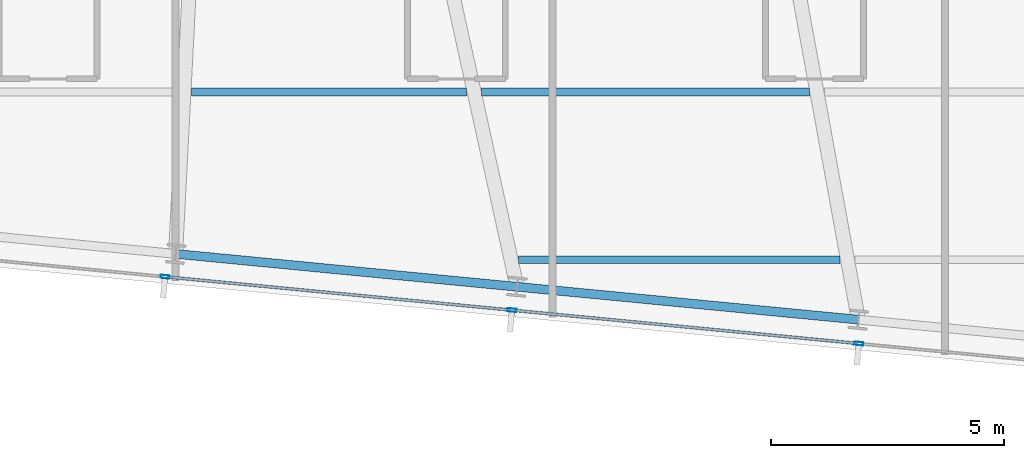
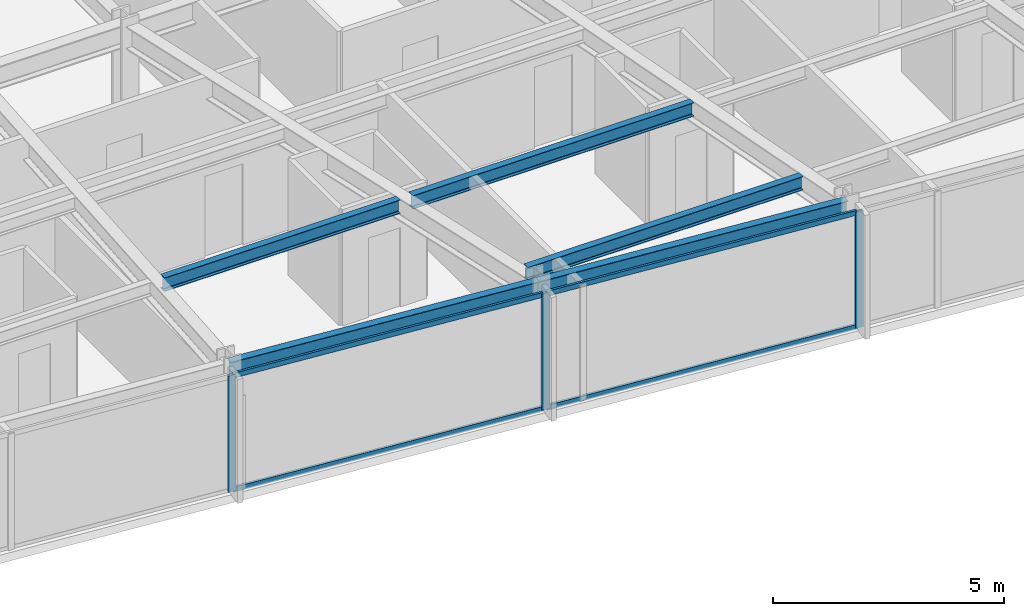
# One storey, part 6 of 38: 7 members, 5 beams, 1 element without a shape of its own.
"""IFC4 building model written with IfcOpenShell, lengths in metres."""

from ifc_helpers import new_model, si_unit, direction, frame, origin, origin_2d, place, context, subcontext, project, spatial, hollow_rectangle, i_section, extrude, material, material_profile, profile_set, type_object, element, aggregate, save


model = new_model("IFC4")

# Units and contexts
model_context = context("Model", 3, precision=1e-05, world=origin(), true_north=direction((0.0, 1.0)))
body_context = subcontext(model_context, "Body", "Model", "MODEL_VIEW")
ifc_project = project(units=[si_unit("LENGTHUNIT", "METRE"), si_unit("AREAUNIT", "SQUARE_METRE"), si_unit("VOLUMEUNIT", "CUBIC_METRE"), si_unit("PLANEANGLEUNIT", "RADIAN"), si_unit("MASSUNIT", "GRAM", prefix="KILO")], contexts=[model_context])

# Site, building, storey
site_placement = place(None, origin())
site = spatial("IfcSite", under=ifc_project, at=site_placement, CompositionType="ELEMENT")
building_placement = place(site_placement, origin())
building = spatial("IfcBuilding", under=site, at=building_placement, Name="Yelkora Congress Tower", CompositionType="ELEMENT")
storey_placement = place(building_placement, frame((0.0, 0.0, 185.300048828125)))
storey = spatial("IfcBuildingStorey", under=building, at=storey_placement, Name="L51", CompositionType="ELEMENT", Elevation=185.300048828125)

# Beams
ifc_material_1 = material(Name="Steel S355J2", Category="steel")
ifc_material_profile_1 = material_profile(ifc_material_1, i_section(OverallWidth=0.169921875, OverallDepth=0.360107421875, WebThickness=0.008056640625, FlangeThickness=0.0126953125, FilletRadius=0.01806640625, at=origin_2d()), Name="IPE 360")
ifc_profile_set_1 = profile_set([ifc_material_profile_1], Name="Steel S355J2")
beam_type_1 = type_object("IfcBeamType", Name="BM-JOIST-IPE360", PredefinedType="JOIST", material=ifc_profile_set_1)
beam_1_placement = place(storey_placement, frame((25.921630859375, 12.8212890625, 2.89990234375), z_axis=(1.0, 0.0, 0.0), x_axis=(0.0, 1.0, 0.0)))
element("IfcBeam", 1, at=beam_1_placement, inside=storey, type_object=beam_type_1, Name="L51 Composite Floor Joist 1", PredefinedType="JOIST", context=body_context, shape_type="SweptSolid", body=[
    extrude(i_section(OverallWidth=0.169921875, OverallDepth=0.360107421875, WebThickness=0.008056640625, FlangeThickness=0.0126953125, FilletRadius=0.01806640625, at=origin_2d()), origin(), (0.0, 0.0, 1.0), 6.896484375),
])
beam_2_placement = place(storey_placement, frame((18.905517578125, 16.421142578125, 2.89990234375), z_axis=(1.0, 0.0, 0.0), x_axis=(0.0, 1.0, 0.0)))
element("IfcBeam", 2, at=beam_2_placement, inside=storey, type_object=beam_type_1, Name="L51 Composite Floor Joist 7", PredefinedType="JOIST", context=body_context, shape_type="SweptSolid", body=[
    extrude(i_section(OverallWidth=0.169921875, OverallDepth=0.360107421875, WebThickness=0.008056640625, FlangeThickness=0.0126953125, FilletRadius=0.01806640625, at=origin_2d()), origin(), (0.0, 0.0, 1.0), 5.904541015625),
])
beam_3_placement = place(storey_placement, frame((25.130126953125, 16.421142578125, 2.89990234375), z_axis=(1.0, 0.0, 0.0), x_axis=(0.0, 1.0, 0.0)))
element("IfcBeam", 3, at=beam_3_placement, inside=storey, type_object=beam_type_1, Name="L51 Composite Floor Joist 8", PredefinedType="JOIST", context=body_context, shape_type="SweptSolid", body=[
    extrude(i_section(OverallWidth=0.169921875, OverallDepth=0.360107421875, WebThickness=0.008056640625, FlangeThickness=0.0126953125, FilletRadius=0.01806640625, at=origin_2d()), origin(), (0.0, 0.0, 1.0), 7.03125),
])
ifc_material_profile_2 = material_profile(ifc_material_1, i_section(OverallWidth=0.18994140625, OverallDepth=0.449951171875, WebThickness=0.009521484375, FlangeThickness=0.0146484375, FilletRadius=0.02099609375, at=origin_2d()), Name="IPE 450")
ifc_profile_set_2 = profile_set([ifc_material_profile_2], Name="Steel S355J2")
beam_type_2 = type_object("IfcBeamType", Name="BM-SPAN-IPE450", PredefinedType="SPANDREL", material=ifc_profile_set_2)
beam_4_placement = place(storey_placement, frame((18.56591796875, 12.947021484375, 2.85498046875), z_axis=(0.99539363353, -0.09587238564, 0.0), x_axis=(0.09587238564, 0.99539363353, 0.0)))
element("IfcBeam", 4, at=beam_4_placement, inside=storey, type_object=beam_type_2, Name="L51 Perimeter Beam 4", PredefinedType="SPANDREL", context=body_context, shape_type="SweptSolid", body=[
    extrude(i_section(OverallWidth=0.18994140625, OverallDepth=0.449951171875, WebThickness=0.009521484375, FlangeThickness=0.0146484375, FilletRadius=0.02099609375, at=origin_2d()), origin(), (0.0, 0.0, 1.0), 7.35693359375),
])
beam_5_placement = place(storey_placement, frame((25.888916015625, 12.24169921875, 2.85498046875), z_axis=(0.995397409467, -0.095833173935, 0.0), x_axis=(0.095833173935, 0.995397409467, 0.0)))
element("IfcBeam", 5, at=beam_5_placement, inside=storey, type_object=beam_type_2, Name="L51 Perimeter Beam 5", PredefinedType="SPANDREL", context=body_context, shape_type="SweptSolid", body=[
    extrude(i_section(OverallWidth=0.18994140625, OverallDepth=0.449951171875, WebThickness=0.009521484375, FlangeThickness=0.0146484375, FilletRadius=0.02099609375, at=origin_2d()), origin(), (0.0, 0.0, 1.0), 7.357421875),
])

# Curtain wall, members
ifc_material_2 = material(Name="Anodised aluminium and insulated glass", Category="aluminium")
curtain_wall_type = type_object("IfcCurtainWallType", Name="CW-SYS-B3", PredefinedType="NOTDEFINED", material=ifc_material_2)
curtain_wall_placement = place(storey_placement, origin())
curtain_wall = element("IfcCurtainWall", 6, at=curtain_wall_placement, inside=storey, type_object=curtain_wall_type, Name="L51 Unitised Curtain Wall 20", PredefinedType="NOTDEFINED")
ifc_material_3 = material(Name="Anodised aluminium 6063-T6", Category="aluminium")
ifc_material_profile_3 = material_profile(ifc_material_3, hollow_rectangle(XDim=0.070068359375, YDim=0.18994140625, WallThickness=0.00390625, at=origin_2d()), Name="ALU 70x190x4")
ifc_profile_set_3 = profile_set([ifc_material_profile_3], Name="Anodised aluminium 6063-T6")
member_type_1 = type_object("IfcMemberType", Name="MEM-ML-B3", PredefinedType="MULLION", material=ifc_profile_set_3)
member_1_placement = place(storey_placement, frame((33.2216796875, 11.0234375, 0.0), z_axis=(0.0, 0.0, 1.0), x_axis=(-0.095844680679, -0.995396301573, 0.0)))
member_1 = element("IfcMember", 7, at=member_1_placement, type_object=member_type_1, Name="CW-B3 mullion 4", PredefinedType="MULLION", context=body_context, shape_type="SweptSolid", body=[
    extrude(hollow_rectangle(XDim=0.070068359375, YDim=0.18994140625, WallThickness=0.00390625, at=origin_2d()), origin(), (0.0, 0.0, 1.0), 3.079833984375),
])
member_2_placement = place(storey_placement, frame((25.78173828125, 11.73974609375, 0.0), z_axis=(0.0, 0.0, 1.0), x_axis=(-0.095844680679, -0.995396301573, 0.0)))
member_2 = element("IfcMember", 8, at=member_2_placement, type_object=member_type_1, Name="CW-B3 mullion 5", PredefinedType="MULLION", context=body_context, shape_type="SweptSolid", body=[
    extrude(hollow_rectangle(XDim=0.070068359375, YDim=0.18994140625, WallThickness=0.00390625, at=origin_2d()), origin(), (0.0, 0.0, 1.0), 3.079833984375),
])
member_3_placement = place(storey_placement, frame((18.342041015625, 12.4560546875, 0.0), z_axis=(0.0, 0.0, 1.0), x_axis=(-0.095844680679, -0.995396301573, 0.0)))
member_3 = element("IfcMember", 9, at=member_3_placement, type_object=member_type_1, Name="CW-B3 mullion 6", PredefinedType="MULLION", context=body_context, shape_type="SweptSolid", body=[
    extrude(hollow_rectangle(XDim=0.070068359375, YDim=0.18994140625, WallThickness=0.00390625, at=origin_2d()), origin(), (0.0, 0.0, 1.0), 3.079833984375),
])
ifc_material_profile_4 = material_profile(ifc_material_3, hollow_rectangle(XDim=0.06005859375, YDim=0.1298828125, WallThickness=0.00390625, at=origin_2d()), Name="ALU 60x130x4")
ifc_profile_set_4 = profile_set([ifc_material_profile_4], Name="Anodised aluminium 6063-T6")
member_type_2 = type_object("IfcMemberType", Name="MEM-TR-B3", PredefinedType="USERDEFINED", material=ifc_profile_set_4)
member_4_placement = place(storey_placement, frame((33.18701171875, 11.02685546875, 0.030029296875), z_axis=(-0.995398934959, 0.095817327669, 0.0), x_axis=(-0.095817327669, -0.995398934959, 0.0)))
member_4 = element("IfcMember", 10, at=member_4_placement, type_object=member_type_2, Name="CW-B3 transom 4.1", ObjectType="TRANSOM", PredefinedType="USERDEFINED", context=body_context, shape_type="SweptSolid", body=[
    extrude(hollow_rectangle(XDim=0.06005859375, YDim=0.1298828125, WallThickness=0.00390625, at=origin_2d()), origin(), (0.0, 0.0, 1.0), 7.404541015625),
])
member_5_placement = place(storey_placement, frame((33.18701171875, 11.02685546875, 3.050048828125), z_axis=(-0.995398934959, 0.095817327669, 0.0), x_axis=(-0.095817327669, -0.995398934959, 0.0)))
member_5 = element("IfcMember", 11, at=member_5_placement, type_object=member_type_2, Name="CW-B3 transom 4.2", ObjectType="TRANSOM", PredefinedType="USERDEFINED", context=body_context, shape_type="SweptSolid", body=[
    extrude(hollow_rectangle(XDim=0.06005859375, YDim=0.1298828125, WallThickness=0.00390625, at=origin_2d()), origin(), (0.0, 0.0, 1.0), 7.404541015625),
])
member_6_placement = place(storey_placement, frame((25.7470703125, 11.7431640625, 0.030029296875), z_axis=(-0.995395789658, 0.095849997036, 0.0), x_axis=(-0.095849997036, -0.995395789658, 0.0)))
member_6 = element("IfcMember", 12, at=member_6_placement, type_object=member_type_2, Name="CW-B3 transom 5.1", ObjectType="TRANSOM", PredefinedType="USERDEFINED", context=body_context, shape_type="SweptSolid", body=[
    extrude(hollow_rectangle(XDim=0.06005859375, YDim=0.1298828125, WallThickness=0.00390625, at=origin_2d()), origin(), (0.0, 0.0, 1.0), 7.404541015625),
])
member_7_placement = place(storey_placement, frame((25.7470703125, 11.7431640625, 3.050048828125), z_axis=(-0.995395789658, 0.095849997036, 0.0), x_axis=(-0.095849997036, -0.995395789658, 0.0)))
member_7 = element("IfcMember", 13, at=member_7_placement, type_object=member_type_2, Name="CW-B3 transom 5.2", ObjectType="TRANSOM", PredefinedType="USERDEFINED", context=body_context, shape_type="SweptSolid", body=[
    extrude(hollow_rectangle(XDim=0.06005859375, YDim=0.1298828125, WallThickness=0.00390625, at=origin_2d()), origin(), (0.0, 0.0, 1.0), 7.404541015625),
])
aggregate(curtain_wall, [member_1, member_2, member_3, member_4, member_5, member_6, member_7])

save(model, "model.ifc")
